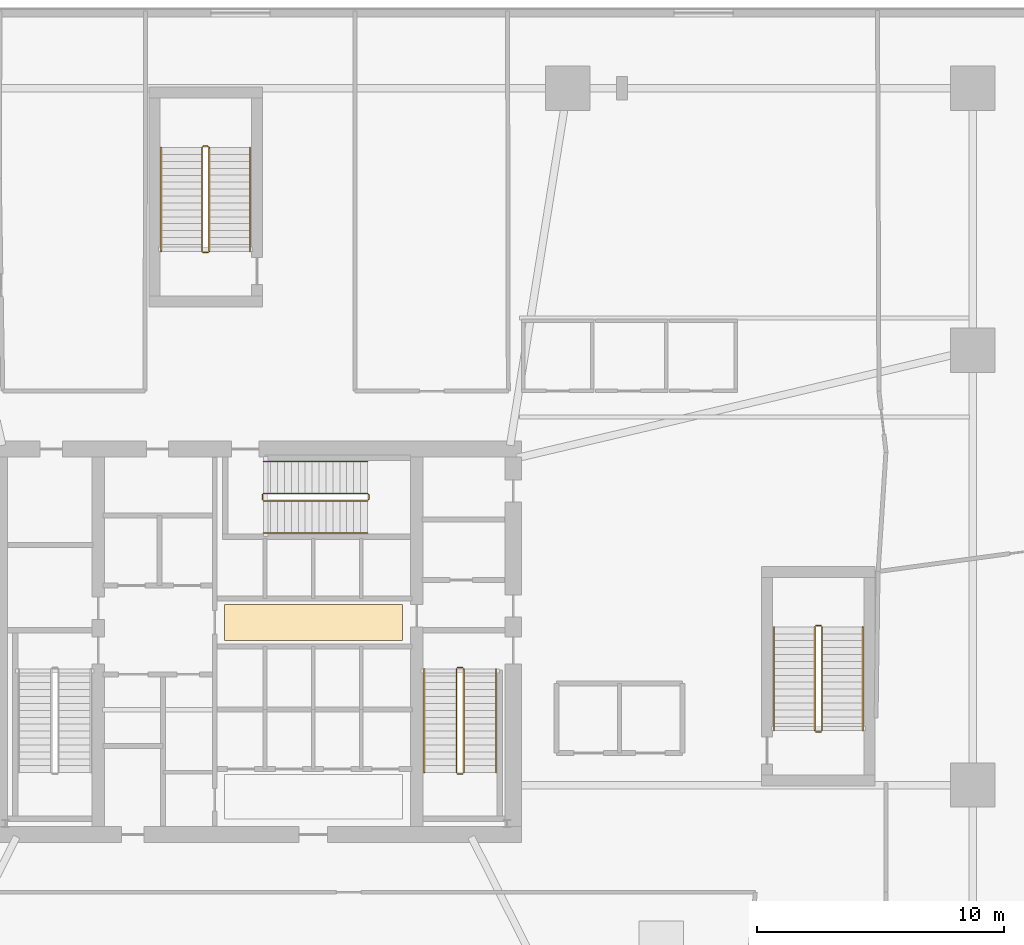
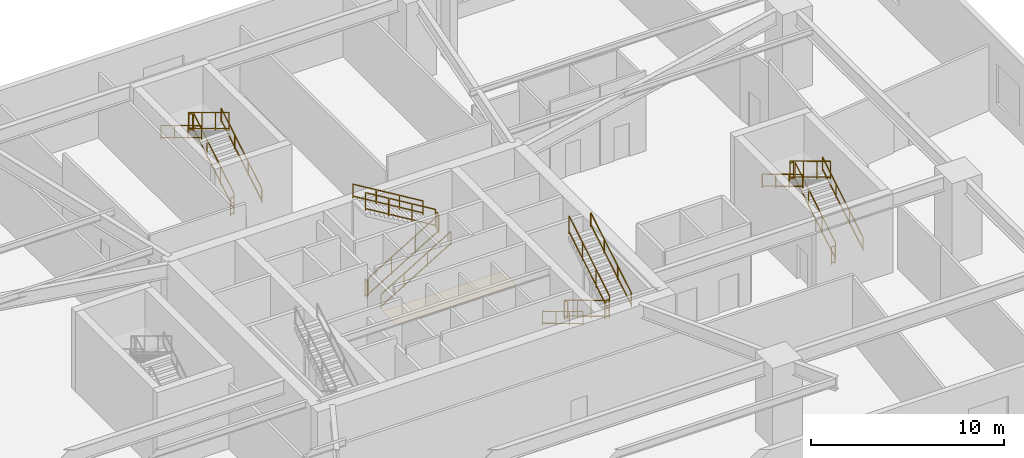
# One storey, part 10 of 11: 24 railings, 1 covering.
"""IFC4 building model written with IfcOpenShell, lengths in metres."""

from ifc_helpers import new_model, si_unit, direction, frame, origin, origin_2d, place, context, subcontext, project, spatial, rectangle, extrude, material, layer, layer_set, type_object, element, save


model = new_model("IFC4")

# Units and contexts
model_context = context("Model", 3, precision=1e-05, world=origin(), true_north=direction((0.0, 1.0)))
body_context = subcontext(model_context, "Body", "Model", "MODEL_VIEW")
ifc_project = project(units=[si_unit("LENGTHUNIT", "METRE"), si_unit("AREAUNIT", "SQUARE_METRE"), si_unit("VOLUMEUNIT", "CUBIC_METRE"), si_unit("PLANEANGLEUNIT", "RADIAN"), si_unit("MASSUNIT", "GRAM", prefix="KILO")], contexts=[model_context])

# Site, building, storey
site_placement = place(None, origin())
site = spatial("IfcSite", under=ifc_project, at=site_placement, CompositionType="ELEMENT")
building_placement = place(site_placement, origin())
building = spatial("IfcBuilding", under=site, at=building_placement, Name="Qarnah Convention Tower", CompositionType="ELEMENT")
storey_placement = place(building_placement, frame((0.0, 0.0, 5.39990234375)))
storey = spatial("IfcBuildingStorey", under=building, at=storey_placement, Name="L01", CompositionType="ELEMENT", Elevation=5.39990234375)

# Covering
ifc_material_1 = material(Name="Mineral fibre acoustic ceiling")
ifc_layer = layer(ifc_material_1, 0.02001953125)
ifc_layer_set = layer_set([ifc_layer], Name="Mineral fibre acoustic ceiling")
covering_type = type_object("IfcCoveringType", Name="COV-CEIL-20", PredefinedType="CEILING", material=ifc_layer_set)
covering_placement = place(storey_placement, frame((39.52001953125, 27.179931640625, 2.2900390625), z_axis=(0.0, 0.0, 1.0), x_axis=(1.0, 0.0, 0.0)))
element("IfcCovering", 1, at=covering_placement, inside=storey, type_object=covering_type, Name="L01 lift lobby acoustic ceiling", PredefinedType="CEILING", context=body_context, shape_type="SweptSolid", body=[
    extrude(rectangle(XDim=7.199951171875, YDim=1.449951171875, at=origin_2d()), origin(), (0.0, 0.0, 1.0), 0.02001953125),
])

# Railings
ifc_material_2 = material(Name="Structural steel S355JR", Category="steel")
railing_type_1 = type_object("IfcRailingType", Name="RL-STAIR-GUARD-1150", PredefinedType="GUARDRAIL", material=ifc_material_2)
railing_1_placement = place(storey_placement, frame((45.300048828125, 25.300048828125, 0.1689453125)))
element("IfcRailing", 2, at=railing_1_placement, inside=storey, type_object=railing_type_1, Name="L01 ST-2 stair guard 1", PredefinedType="GUARDRAIL", context=body_context, shape_type="SweptSolid", body=[
    extrude(rectangle(XDim=0.048095703125, YDim=0.048095703125, at=origin_2d()), frame((0.0, 0.0, 1.1259765625), z_axis=(0.0, -0.856476492594, 0.516186030065), x_axis=(1.0, 0.0, 0.0)), (0.0, 0.0, 1.0), 4.90380859375),
    extrude(rectangle(XDim=0.048095703125, YDim=0.048095703125, at=origin_2d()), frame((0.0, 0.0, 0.1201171875), z_axis=(0.0, -0.856476492594, 0.516186030065), x_axis=(1.0, 0.0, 0.0)), (0.0, 0.0, 1.0), 4.90380859375),
    extrude(rectangle(XDim=0.0419921875, YDim=0.0419921875, at=origin_2d()), origin(), (0.0, 0.0, 1.0), 1.101806640625),
    extrude(rectangle(XDim=0.0419921875, YDim=0.0419921875, at=origin_2d()), frame((0.0, -1.39990234375, 0.84375)), (0.0, 0.0, 1.0), 1.101806640625),
    extrude(rectangle(XDim=0.0419921875, YDim=0.0419921875, at=origin_2d()), frame((0.0, -2.800048828125, 1.6875)), (0.0, 0.0, 1.0), 1.101806640625),
    extrude(rectangle(XDim=0.0419921875, YDim=0.0419921875, at=origin_2d()), frame((0.0, -4.199951171875, 2.53125)), (0.0, 0.0, 1.0), 1.101806640625),
])
railing_2_placement = place(storey_placement, frame((45.35009765625, 21.050048828125, 2.7001953125)))
element("IfcRailing", 3, at=railing_2_placement, inside=storey, type_object=railing_type_1, Name="L01 ST-2 stair guard 2", PredefinedType="GUARDRAIL", context=body_context, shape_type="SweptSolid", body=[
    extrude(rectangle(XDim=0.048095703125, YDim=0.048095703125, at=origin_2d()), frame((0.0, 0.0, 1.1259765625), z_axis=(1.0, 0.0, 0.0), x_axis=(0.0, 1.0, 0.0)), (0.0, 0.0, 1.0), 0.199951171875),
    extrude(rectangle(XDim=0.048095703125, YDim=0.048095703125, at=origin_2d()), frame((0.0, 0.0, 0.1201171875), z_axis=(1.0, 0.0, 0.0), x_axis=(0.0, 1.0, 0.0)), (0.0, 0.0, 1.0), 0.199951171875),
    extrude(rectangle(XDim=0.0419921875, YDim=0.0419921875, at=origin_2d()), origin(), (0.0, 0.0, 1.0), 1.101806640625),
    extrude(rectangle(XDim=0.0419921875, YDim=0.0419921875, at=origin_2d()), frame((0.199951171875, 0.0, 0.0)), (0.0, 0.0, 1.0), 1.101806640625),
])
railing_3_placement = place(storey_placement, frame((45.60009765625, 21.10009765625, 2.868896484375)))
element("IfcRailing", 4, at=railing_3_placement, inside=storey, type_object=railing_type_1, Name="L01 ST-2 stair guard 3", PredefinedType="GUARDRAIL", context=body_context, shape_type="SweptSolid", body=[
    extrude(rectangle(XDim=0.048095703125, YDim=0.048095703125, at=origin_2d()), frame((0.0, 0.0, 1.1259765625), z_axis=(0.0, 0.856476492594, 0.516186030065), x_axis=(-1.0, 0.0, 0.0)), (0.0, 0.0, 1.0), 4.90380859375),
    extrude(rectangle(XDim=0.048095703125, YDim=0.048095703125, at=origin_2d()), frame((0.0, 0.0, 0.1201171875), z_axis=(0.0, 0.856476492594, 0.516186030065), x_axis=(-1.0, 0.0, 0.0)), (0.0, 0.0, 1.0), 4.90380859375),
    extrude(rectangle(XDim=0.0419921875, YDim=0.0419921875, at=origin_2d()), origin(), (0.0, 0.0, 1.0), 1.101806640625),
    extrude(rectangle(XDim=0.0419921875, YDim=0.0419921875, at=origin_2d()), frame((0.0, 1.39990234375, 0.84375)), (0.0, 0.0, 1.0), 1.101806640625),
    extrude(rectangle(XDim=0.0419921875, YDim=0.0419921875, at=origin_2d()), frame((0.0, 2.800048828125, 1.6875)), (0.0, 0.0, 1.0), 1.101806640625),
    extrude(rectangle(XDim=0.0419921875, YDim=0.0419921875, at=origin_2d()), frame((0.0, 4.199951171875, 2.53125)), (0.0, 0.0, 1.0), 1.101806640625),
])
railing_4_placement = place(storey_placement, frame((45.35009765625, 25.35009765625, 0.0)))
element("IfcRailing", 5, at=railing_4_placement, inside=storey, type_object=railing_type_1, Name="L01 ST-2 stair guard 4", PredefinedType="GUARDRAIL", context=body_context, shape_type="SweptSolid", body=[
    extrude(rectangle(XDim=0.048095703125, YDim=0.048095703125, at=origin_2d()), frame((0.0, 0.0, 1.1259765625), z_axis=(1.0, 0.0, 0.0), x_axis=(0.0, 1.0, 0.0)), (0.0, 0.0, 1.0), 0.199951171875),
    extrude(rectangle(XDim=0.048095703125, YDim=0.048095703125, at=origin_2d()), frame((0.0, 0.0, 0.1201171875), z_axis=(1.0, 0.0, 0.0), x_axis=(0.0, 1.0, 0.0)), (0.0, 0.0, 1.0), 0.199951171875),
    extrude(rectangle(XDim=0.0419921875, YDim=0.0419921875, at=origin_2d()), origin(), (0.0, 0.0, 1.0), 1.101806640625),
    extrude(rectangle(XDim=0.0419921875, YDim=0.0419921875, at=origin_2d()), frame((0.199951171875, 0.0, 0.0)), (0.0, 0.0, 1.0), 1.101806640625),
])
railing_5_placement = place(storey_placement, frame((37.5, 32.10009765625, 0.1689453125)))
element("IfcRailing", 6, at=railing_5_placement, inside=storey, type_object=railing_type_1, Name="L01 ST-3 stair guard 1", PredefinedType="GUARDRAIL", context=body_context, shape_type="SweptSolid", body=[
    extrude(rectangle(XDim=0.048095703125, YDim=0.048095703125, at=origin_2d()), frame((0.0, 0.0, 1.1259765625), z_axis=(0.856476492594, 0.0, 0.516186030065), x_axis=(0.0, 1.0, 0.0)), (0.0, 0.0, 1.0), 4.90380859375),
    extrude(rectangle(XDim=0.048095703125, YDim=0.048095703125, at=origin_2d()), frame((0.0, 0.0, 0.1201171875), z_axis=(0.856476492594, 0.0, 0.516186030065), x_axis=(0.0, 1.0, 0.0)), (0.0, 0.0, 1.0), 4.90380859375),
    extrude(rectangle(XDim=0.0419921875, YDim=0.0419921875, at=origin_2d()), origin(), (0.0, 0.0, 1.0), 1.101806640625),
    extrude(rectangle(XDim=0.0419921875, YDim=0.0419921875, at=origin_2d()), frame((1.39990234375, 0.0, 0.84375)), (0.0, 0.0, 1.0), 1.101806640625),
    extrude(rectangle(XDim=0.0419921875, YDim=0.0419921875, at=origin_2d()), frame((2.800048828125, 0.0, 1.6875)), (0.0, 0.0, 1.0), 1.101806640625),
    extrude(rectangle(XDim=0.0419921875, YDim=0.0419921875, at=origin_2d()), frame((4.199951171875, 0.0, 2.53125)), (0.0, 0.0, 1.0), 1.101806640625),
])
railing_6_placement = place(storey_placement, frame((41.75, 32.14990234375, 2.7001953125)))
element("IfcRailing", 7, at=railing_6_placement, inside=storey, type_object=railing_type_1, Name="L01 ST-3 stair guard 2", PredefinedType="GUARDRAIL", context=body_context, shape_type="SweptSolid", body=[
    extrude(rectangle(XDim=0.048095703125, YDim=0.048095703125, at=origin_2d()), frame((0.0, 0.0, 1.1259765625), z_axis=(0.0, 1.0, 0.0), x_axis=(-1.0, 0.0, 0.0)), (0.0, 0.0, 1.0), 0.2001953125),
    extrude(rectangle(XDim=0.048095703125, YDim=0.048095703125, at=origin_2d()), frame((0.0, 0.0, 0.1201171875), z_axis=(0.0, 1.0, 0.0), x_axis=(-1.0, 0.0, 0.0)), (0.0, 0.0, 1.0), 0.2001953125),
    extrude(rectangle(XDim=0.0419921875, YDim=0.0419921875, at=origin_2d()), origin(), (0.0, 0.0, 1.0), 1.101806640625),
    extrude(rectangle(XDim=0.0419921875, YDim=0.0419921875, at=origin_2d()), frame((0.0, 0.2001953125, 0.0)), (0.0, 0.0, 1.0), 1.101806640625),
])
railing_7_placement = place(storey_placement, frame((41.699951171875, 32.39990234375, 2.868896484375)))
element("IfcRailing", 8, at=railing_7_placement, inside=storey, type_object=railing_type_1, Name="L01 ST-3 stair guard 3", PredefinedType="GUARDRAIL", context=body_context, shape_type="SweptSolid", body=[
    extrude(rectangle(XDim=0.048095703125, YDim=0.048095703125, at=origin_2d()), frame((0.0, 0.0, 1.1259765625), z_axis=(-0.856476492594, 0.0, 0.516186030065), x_axis=(0.0, -1.0, 0.0)), (0.0, 0.0, 1.0), 4.90380859375),
    extrude(rectangle(XDim=0.048095703125, YDim=0.048095703125, at=origin_2d()), frame((0.0, 0.0, 0.1201171875), z_axis=(-0.856476492594, 0.0, 0.516186030065), x_axis=(0.0, -1.0, 0.0)), (0.0, 0.0, 1.0), 4.90380859375),
    extrude(rectangle(XDim=0.0419921875, YDim=0.0419921875, at=origin_2d()), origin(), (0.0, 0.0, 1.0), 1.101806640625),
    extrude(rectangle(XDim=0.0419921875, YDim=0.0419921875, at=origin_2d()), frame((-1.39990234375, 0.0, 0.84375)), (0.0, 0.0, 1.0), 1.101806640625),
    extrude(rectangle(XDim=0.0419921875, YDim=0.0419921875, at=origin_2d()), frame((-2.800048828125, 0.0, 1.6875)), (0.0, 0.0, 1.0), 1.101806640625),
    extrude(rectangle(XDim=0.0419921875, YDim=0.0419921875, at=origin_2d()), frame((-4.199951171875, 0.0, 2.53125)), (0.0, 0.0, 1.0), 1.101806640625),
])
railing_8_placement = place(storey_placement, frame((37.449951171875, 32.14990234375, 0.0)))
element("IfcRailing", 9, at=railing_8_placement, inside=storey, type_object=railing_type_1, Name="L01 ST-3 stair guard 4", PredefinedType="GUARDRAIL", context=body_context, shape_type="SweptSolid", body=[
    extrude(rectangle(XDim=0.048095703125, YDim=0.048095703125, at=origin_2d()), frame((0.0, 0.0, 1.1259765625), z_axis=(0.0, 1.0, 0.0), x_axis=(-1.0, 0.0, 0.0)), (0.0, 0.0, 1.0), 0.2001953125),
    extrude(rectangle(XDim=0.048095703125, YDim=0.048095703125, at=origin_2d()), frame((0.0, 0.0, 0.1201171875), z_axis=(0.0, 1.0, 0.0), x_axis=(-1.0, 0.0, 0.0)), (0.0, 0.0, 1.0), 0.2001953125),
    extrude(rectangle(XDim=0.0419921875, YDim=0.0419921875, at=origin_2d()), origin(), (0.0, 0.0, 1.0), 1.101806640625),
    extrude(rectangle(XDim=0.0419921875, YDim=0.0419921875, at=origin_2d()), frame((0.0, 0.2001953125, 0.0)), (0.0, 0.0, 1.0), 1.101806640625),
])
railing_9_placement = place(storey_placement, frame((60.10009765625, 22.800048828125, 0.1689453125)))
element("IfcRailing", 10, at=railing_9_placement, inside=storey, type_object=railing_type_1, Name="L01 ST-4 stair guard 1", PredefinedType="GUARDRAIL", context=body_context, shape_type="SweptSolid", body=[
    extrude(rectangle(XDim=0.048095703125, YDim=0.048095703125, at=origin_2d()), frame((0.0, 0.0, 1.1259765625), z_axis=(0.0, 0.856476492594, 0.516186030065), x_axis=(-1.0, 0.0, 0.0)), (0.0, 0.0, 1.0), 4.90380859375),
    extrude(rectangle(XDim=0.048095703125, YDim=0.048095703125, at=origin_2d()), frame((0.0, 0.0, 0.1201171875), z_axis=(0.0, 0.856476492594, 0.516186030065), x_axis=(-1.0, 0.0, 0.0)), (0.0, 0.0, 1.0), 4.90380859375),
    extrude(rectangle(XDim=0.0419921875, YDim=0.0419921875, at=origin_2d()), origin(), (0.0, 0.0, 1.0), 1.101806640625),
    extrude(rectangle(XDim=0.0419921875, YDim=0.0419921875, at=origin_2d()), frame((0.0, 1.39990234375, 0.84375)), (0.0, 0.0, 1.0), 1.101806640625),
    extrude(rectangle(XDim=0.0419921875, YDim=0.0419921875, at=origin_2d()), frame((0.0, 2.800048828125, 1.6875)), (0.0, 0.0, 1.0), 1.101806640625),
    extrude(rectangle(XDim=0.0419921875, YDim=0.0419921875, at=origin_2d()), frame((0.0, 4.199951171875, 2.53125)), (0.0, 0.0, 1.0), 1.101806640625),
])
railing_10_placement = place(storey_placement, frame((60.050048828125, 27.050048828125, 2.7001953125)))
element("IfcRailing", 11, at=railing_10_placement, inside=storey, type_object=railing_type_1, Name="L01 ST-4 stair guard 2", PredefinedType="GUARDRAIL", context=body_context, shape_type="SweptSolid", body=[
    extrude(rectangle(XDim=0.048095703125, YDim=0.048095703125, at=origin_2d()), frame((0.0, 0.0, 1.1259765625), z_axis=(-1.0, 0.0, 0.0), x_axis=(0.0, -1.0, 0.0)), (0.0, 0.0, 1.0), 0.199951171875),
    extrude(rectangle(XDim=0.048095703125, YDim=0.048095703125, at=origin_2d()), frame((0.0, 0.0, 0.1201171875), z_axis=(-1.0, 0.0, 0.0), x_axis=(0.0, -1.0, 0.0)), (0.0, 0.0, 1.0), 0.199951171875),
    extrude(rectangle(XDim=0.0419921875, YDim=0.0419921875, at=origin_2d()), origin(), (0.0, 0.0, 1.0), 1.101806640625),
    extrude(rectangle(XDim=0.0419921875, YDim=0.0419921875, at=origin_2d()), frame((-0.199951171875, 0.0, 0.0)), (0.0, 0.0, 1.0), 1.101806640625),
])
railing_11_placement = place(storey_placement, frame((59.800048828125, 27.0, 2.868896484375)))
element("IfcRailing", 12, at=railing_11_placement, inside=storey, type_object=railing_type_1, Name="L01 ST-4 stair guard 3", PredefinedType="GUARDRAIL", context=body_context, shape_type="SweptSolid", body=[
    extrude(rectangle(XDim=0.048095703125, YDim=0.048095703125, at=origin_2d()), frame((0.0, 0.0, 1.1259765625), z_axis=(0.0, -0.856476492594, 0.516186030065), x_axis=(1.0, 0.0, 0.0)), (0.0, 0.0, 1.0), 4.90380859375),
    extrude(rectangle(XDim=0.048095703125, YDim=0.048095703125, at=origin_2d()), frame((0.0, 0.0, 0.1201171875), z_axis=(0.0, -0.856476492594, 0.516186030065), x_axis=(1.0, 0.0, 0.0)), (0.0, 0.0, 1.0), 4.90380859375),
    extrude(rectangle(XDim=0.0419921875, YDim=0.0419921875, at=origin_2d()), origin(), (0.0, 0.0, 1.0), 1.101806640625),
    extrude(rectangle(XDim=0.0419921875, YDim=0.0419921875, at=origin_2d()), frame((0.0, -1.39990234375, 0.84375)), (0.0, 0.0, 1.0), 1.101806640625),
    extrude(rectangle(XDim=0.0419921875, YDim=0.0419921875, at=origin_2d()), frame((0.0, -2.800048828125, 1.6875)), (0.0, 0.0, 1.0), 1.101806640625),
    extrude(rectangle(XDim=0.0419921875, YDim=0.0419921875, at=origin_2d()), frame((0.0, -4.199951171875, 2.53125)), (0.0, 0.0, 1.0), 1.101806640625),
])
railing_12_placement = place(storey_placement, frame((60.050048828125, 22.75, 0.0)))
element("IfcRailing", 13, at=railing_12_placement, inside=storey, type_object=railing_type_1, Name="L01 ST-4 stair guard 4", PredefinedType="GUARDRAIL", context=body_context, shape_type="SweptSolid", body=[
    extrude(rectangle(XDim=0.048095703125, YDim=0.048095703125, at=origin_2d()), frame((0.0, 0.0, 1.1259765625), z_axis=(-1.0, 0.0, 0.0), x_axis=(0.0, -1.0, 0.0)), (0.0, 0.0, 1.0), 0.199951171875),
    extrude(rectangle(XDim=0.048095703125, YDim=0.048095703125, at=origin_2d()), frame((0.0, 0.0, 0.1201171875), z_axis=(-1.0, 0.0, 0.0), x_axis=(0.0, -1.0, 0.0)), (0.0, 0.0, 1.0), 0.199951171875),
    extrude(rectangle(XDim=0.0419921875, YDim=0.0419921875, at=origin_2d()), origin(), (0.0, 0.0, 1.0), 1.101806640625),
    extrude(rectangle(XDim=0.0419921875, YDim=0.0419921875, at=origin_2d()), frame((-0.199951171875, 0.0, 0.0)), (0.0, 0.0, 1.0), 1.101806640625),
])
railing_13_placement = place(storey_placement, frame((35.300048828125, 42.199951171875, 0.1689453125)))
element("IfcRailing", 14, at=railing_13_placement, inside=storey, type_object=railing_type_1, Name="L01 ST-6 stair guard 1", PredefinedType="GUARDRAIL", context=body_context, shape_type="SweptSolid", body=[
    extrude(rectangle(XDim=0.048095703125, YDim=0.048095703125, at=origin_2d()), frame((0.0, 0.0, 1.1259765625), z_axis=(0.0, 0.856476492594, 0.516186030065), x_axis=(-1.0, 0.0, 0.0)), (0.0, 0.0, 1.0), 4.90380859375),
    extrude(rectangle(XDim=0.048095703125, YDim=0.048095703125, at=origin_2d()), frame((0.0, 0.0, 0.1201171875), z_axis=(0.0, 0.856476492594, 0.516186030065), x_axis=(-1.0, 0.0, 0.0)), (0.0, 0.0, 1.0), 4.90380859375),
    extrude(rectangle(XDim=0.0419921875, YDim=0.0419921875, at=origin_2d()), origin(), (0.0, 0.0, 1.0), 1.101806640625),
    extrude(rectangle(XDim=0.0419921875, YDim=0.0419921875, at=origin_2d()), frame((0.0, 1.39990234375, 0.84375)), (0.0, 0.0, 1.0), 1.101806640625),
    extrude(rectangle(XDim=0.0419921875, YDim=0.0419921875, at=origin_2d()), frame((0.0, 2.800048828125, 1.6875)), (0.0, 0.0, 1.0), 1.101806640625),
    extrude(rectangle(XDim=0.0419921875, YDim=0.0419921875, at=origin_2d()), frame((0.0, 4.199951171875, 2.53125)), (0.0, 0.0, 1.0), 1.101806640625),
])
railing_14_placement = place(storey_placement, frame((35.25, 46.449951171875, 2.7001953125)))
element("IfcRailing", 15, at=railing_14_placement, inside=storey, type_object=railing_type_1, Name="L01 ST-6 stair guard 2", PredefinedType="GUARDRAIL", context=body_context, shape_type="SweptSolid", body=[
    extrude(rectangle(XDim=0.048095703125, YDim=0.048095703125, at=origin_2d()), frame((0.0, 0.0, 1.1259765625), z_axis=(-1.0, 0.0, 0.0), x_axis=(0.0, -1.0, 0.0)), (0.0, 0.0, 1.0), 0.199951171875),
    extrude(rectangle(XDim=0.048095703125, YDim=0.048095703125, at=origin_2d()), frame((0.0, 0.0, 0.1201171875), z_axis=(-1.0, 0.0, 0.0), x_axis=(0.0, -1.0, 0.0)), (0.0, 0.0, 1.0), 0.199951171875),
    extrude(rectangle(XDim=0.0419921875, YDim=0.0419921875, at=origin_2d()), origin(), (0.0, 0.0, 1.0), 1.101806640625),
    extrude(rectangle(XDim=0.0419921875, YDim=0.0419921875, at=origin_2d()), frame((-0.199951171875, 0.0, 0.0)), (0.0, 0.0, 1.0), 1.101806640625),
])
railing_15_placement = place(storey_placement, frame((35.0, 46.39990234375, 2.868896484375)))
element("IfcRailing", 16, at=railing_15_placement, inside=storey, type_object=railing_type_1, Name="L01 ST-6 stair guard 3", PredefinedType="GUARDRAIL", context=body_context, shape_type="SweptSolid", body=[
    extrude(rectangle(XDim=0.048095703125, YDim=0.048095703125, at=origin_2d()), frame((0.0, 0.0, 1.1259765625), z_axis=(0.0, -0.856476492594, 0.516186030065), x_axis=(1.0, 0.0, 0.0)), (0.0, 0.0, 1.0), 4.90380859375),
    extrude(rectangle(XDim=0.048095703125, YDim=0.048095703125, at=origin_2d()), frame((0.0, 0.0, 0.1201171875), z_axis=(0.0, -0.856476492594, 0.516186030065), x_axis=(1.0, 0.0, 0.0)), (0.0, 0.0, 1.0), 4.90380859375),
    extrude(rectangle(XDim=0.0419921875, YDim=0.0419921875, at=origin_2d()), origin(), (0.0, 0.0, 1.0), 1.101806640625),
    extrude(rectangle(XDim=0.0419921875, YDim=0.0419921875, at=origin_2d()), frame((0.0, -1.39990234375, 0.84375)), (0.0, 0.0, 1.0), 1.101806640625),
    extrude(rectangle(XDim=0.0419921875, YDim=0.0419921875, at=origin_2d()), frame((0.0, -2.800048828125, 1.6875)), (0.0, 0.0, 1.0), 1.101806640625),
    extrude(rectangle(XDim=0.0419921875, YDim=0.0419921875, at=origin_2d()), frame((0.0, -4.199951171875, 2.53125)), (0.0, 0.0, 1.0), 1.101806640625),
])
railing_16_placement = place(storey_placement, frame((35.25, 42.14990234375, 0.0)))
element("IfcRailing", 17, at=railing_16_placement, inside=storey, type_object=railing_type_1, Name="L01 ST-6 stair guard 4", PredefinedType="GUARDRAIL", context=body_context, shape_type="SweptSolid", body=[
    extrude(rectangle(XDim=0.048095703125, YDim=0.048095703125, at=origin_2d()), frame((0.0, 0.0, 1.1259765625), z_axis=(-1.0, 0.0, 0.0), x_axis=(0.0, -1.0, 0.0)), (0.0, 0.0, 1.0), 0.199951171875),
    extrude(rectangle(XDim=0.048095703125, YDim=0.048095703125, at=origin_2d()), frame((0.0, 0.0, 0.1201171875), z_axis=(-1.0, 0.0, 0.0), x_axis=(0.0, -1.0, 0.0)), (0.0, 0.0, 1.0), 0.199951171875),
    extrude(rectangle(XDim=0.0419921875, YDim=0.0419921875, at=origin_2d()), origin(), (0.0, 0.0, 1.0), 1.101806640625),
    extrude(rectangle(XDim=0.0419921875, YDim=0.0419921875, at=origin_2d()), frame((-0.199951171875, 0.0, 0.0)), (0.0, 0.0, 1.0), 1.101806640625),
])
railing_type_2 = type_object("IfcRailingType", Name="RL-STAIR-HAND-900", PredefinedType="HANDRAIL", material=ifc_material_2)
railing_17_placement = place(storey_placement, frame((44.0, 25.300048828125, 0.1689453125)))
element("IfcRailing", 18, at=railing_17_placement, inside=storey, type_object=railing_type_2, Name="L01 ST-2 stair handrail 1", PredefinedType="HANDRAIL", context=body_context, shape_type="SweptSolid", body=[
    extrude(rectangle(XDim=0.048095703125, YDim=0.048095703125, at=origin_2d()), frame((0.0, 0.0, 0.8759765625), z_axis=(0.0, -0.856476492594, 0.516186030065), x_axis=(1.0, 0.0, 0.0)), (0.0, 0.0, 1.0), 4.90380859375),
    extrude(rectangle(XDim=0.048095703125, YDim=0.048095703125, at=origin_2d()), frame((0.0, 0.0, 0.1201171875), z_axis=(0.0, -0.856476492594, 0.516186030065), x_axis=(1.0, 0.0, 0.0)), (0.0, 0.0, 1.0), 4.90380859375),
    extrude(rectangle(XDim=0.0419921875, YDim=0.0419921875, at=origin_2d()), origin(), (0.0, 0.0, 1.0), 0.851806640625),
    extrude(rectangle(XDim=0.0419921875, YDim=0.0419921875, at=origin_2d()), frame((0.0, -1.39990234375, 0.84375)), (0.0, 0.0, 1.0), 0.851806640625),
    extrude(rectangle(XDim=0.0419921875, YDim=0.0419921875, at=origin_2d()), frame((0.0, -2.800048828125, 1.6875)), (0.0, 0.0, 1.0), 0.851806640625),
    extrude(rectangle(XDim=0.0419921875, YDim=0.0419921875, at=origin_2d()), frame((0.0, -4.199951171875, 2.53125)), (0.0, 0.0, 1.0), 0.851806640625),
])
railing_18_placement = place(storey_placement, frame((46.89990234375, 21.10009765625, 2.868896484375)))
element("IfcRailing", 19, at=railing_18_placement, inside=storey, type_object=railing_type_2, Name="L01 ST-2 stair handrail 2", PredefinedType="HANDRAIL", context=body_context, shape_type="SweptSolid", body=[
    extrude(rectangle(XDim=0.048095703125, YDim=0.048095703125, at=origin_2d()), frame((0.0, 0.0, 0.8759765625), z_axis=(0.0, 0.856476492594, 0.516186030065), x_axis=(-1.0, 0.0, 0.0)), (0.0, 0.0, 1.0), 4.90380859375),
    extrude(rectangle(XDim=0.048095703125, YDim=0.048095703125, at=origin_2d()), frame((0.0, 0.0, 0.1201171875), z_axis=(0.0, 0.856476492594, 0.516186030065), x_axis=(-1.0, 0.0, 0.0)), (0.0, 0.0, 1.0), 4.90380859375),
    extrude(rectangle(XDim=0.0419921875, YDim=0.0419921875, at=origin_2d()), origin(), (0.0, 0.0, 1.0), 0.851806640625),
    extrude(rectangle(XDim=0.0419921875, YDim=0.0419921875, at=origin_2d()), frame((0.0, 1.39990234375, 0.84375)), (0.0, 0.0, 1.0), 0.851806640625),
    extrude(rectangle(XDim=0.0419921875, YDim=0.0419921875, at=origin_2d()), frame((0.0, 2.800048828125, 1.6875)), (0.0, 0.0, 1.0), 0.851806640625),
    extrude(rectangle(XDim=0.0419921875, YDim=0.0419921875, at=origin_2d()), frame((0.0, 4.199951171875, 2.53125)), (0.0, 0.0, 1.0), 0.851806640625),
])
railing_19_placement = place(storey_placement, frame((37.5, 30.800048828125, 0.1689453125)))
element("IfcRailing", 20, at=railing_19_placement, inside=storey, type_object=railing_type_2, Name="L01 ST-3 stair handrail 1", PredefinedType="HANDRAIL", context=body_context, shape_type="SweptSolid", body=[
    extrude(rectangle(XDim=0.048095703125, YDim=0.048095703125, at=origin_2d()), frame((0.0, 0.0, 0.8759765625), z_axis=(0.856476492594, 0.0, 0.516186030065), x_axis=(0.0, 1.0, 0.0)), (0.0, 0.0, 1.0), 4.90380859375),
    extrude(rectangle(XDim=0.048095703125, YDim=0.048095703125, at=origin_2d()), frame((0.0, 0.0, 0.1201171875), z_axis=(0.856476492594, 0.0, 0.516186030065), x_axis=(0.0, 1.0, 0.0)), (0.0, 0.0, 1.0), 4.90380859375),
    extrude(rectangle(XDim=0.0419921875, YDim=0.0419921875, at=origin_2d()), origin(), (0.0, 0.0, 1.0), 0.851806640625),
    extrude(rectangle(XDim=0.0419921875, YDim=0.0419921875, at=origin_2d()), frame((1.39990234375, 0.0, 0.84375)), (0.0, 0.0, 1.0), 0.851806640625),
    extrude(rectangle(XDim=0.0419921875, YDim=0.0419921875, at=origin_2d()), frame((2.800048828125, 0.0, 1.6875)), (0.0, 0.0, 1.0), 0.851806640625),
    extrude(rectangle(XDim=0.0419921875, YDim=0.0419921875, at=origin_2d()), frame((4.199951171875, 0.0, 2.53125)), (0.0, 0.0, 1.0), 0.851806640625),
])
railing_20_placement = place(storey_placement, frame((41.699951171875, 33.699951171875, 2.868896484375)))
element("IfcRailing", 21, at=railing_20_placement, inside=storey, type_object=railing_type_2, Name="L01 ST-3 stair handrail 2", PredefinedType="HANDRAIL", context=body_context, shape_type="SweptSolid", body=[
    extrude(rectangle(XDim=0.048095703125, YDim=0.048095703125, at=origin_2d()), frame((0.0, 0.0, 0.8759765625), z_axis=(-0.856476492594, 0.0, 0.516186030065), x_axis=(0.0, -1.0, 0.0)), (0.0, 0.0, 1.0), 4.90380859375),
    extrude(rectangle(XDim=0.048095703125, YDim=0.048095703125, at=origin_2d()), frame((0.0, 0.0, 0.1201171875), z_axis=(-0.856476492594, 0.0, 0.516186030065), x_axis=(0.0, -1.0, 0.0)), (0.0, 0.0, 1.0), 4.90380859375),
    extrude(rectangle(XDim=0.0419921875, YDim=0.0419921875, at=origin_2d()), origin(), (0.0, 0.0, 1.0), 0.851806640625),
    extrude(rectangle(XDim=0.0419921875, YDim=0.0419921875, at=origin_2d()), frame((-1.39990234375, 0.0, 0.84375)), (0.0, 0.0, 1.0), 0.851806640625),
    extrude(rectangle(XDim=0.0419921875, YDim=0.0419921875, at=origin_2d()), frame((-2.800048828125, 0.0, 1.6875)), (0.0, 0.0, 1.0), 0.851806640625),
    extrude(rectangle(XDim=0.0419921875, YDim=0.0419921875, at=origin_2d()), frame((-4.199951171875, 0.0, 2.53125)), (0.0, 0.0, 1.0), 0.851806640625),
])
railing_21_placement = place(storey_placement, frame((61.75, 22.800048828125, 0.1689453125)))
element("IfcRailing", 22, at=railing_21_placement, inside=storey, type_object=railing_type_2, Name="L01 ST-4 stair handrail 1", PredefinedType="HANDRAIL", context=body_context, shape_type="SweptSolid", body=[
    extrude(rectangle(XDim=0.048095703125, YDim=0.048095703125, at=origin_2d()), frame((0.0, 0.0, 0.8759765625), z_axis=(0.0, 0.856476492594, 0.516186030065), x_axis=(-1.0, 0.0, 0.0)), (0.0, 0.0, 1.0), 4.90380859375),
    extrude(rectangle(XDim=0.048095703125, YDim=0.048095703125, at=origin_2d()), frame((0.0, 0.0, 0.1201171875), z_axis=(0.0, 0.856476492594, 0.516186030065), x_axis=(-1.0, 0.0, 0.0)), (0.0, 0.0, 1.0), 4.90380859375),
    extrude(rectangle(XDim=0.0419921875, YDim=0.0419921875, at=origin_2d()), origin(), (0.0, 0.0, 1.0), 0.851806640625),
    extrude(rectangle(XDim=0.0419921875, YDim=0.0419921875, at=origin_2d()), frame((0.0, 1.39990234375, 0.84375)), (0.0, 0.0, 1.0), 0.851806640625),
    extrude(rectangle(XDim=0.0419921875, YDim=0.0419921875, at=origin_2d()), frame((0.0, 2.800048828125, 1.6875)), (0.0, 0.0, 1.0), 0.851806640625),
    extrude(rectangle(XDim=0.0419921875, YDim=0.0419921875, at=origin_2d()), frame((0.0, 4.199951171875, 2.53125)), (0.0, 0.0, 1.0), 0.851806640625),
])
railing_22_placement = place(storey_placement, frame((58.14990234375, 27.0, 2.868896484375)))
element("IfcRailing", 23, at=railing_22_placement, inside=storey, type_object=railing_type_2, Name="L01 ST-4 stair handrail 2", PredefinedType="HANDRAIL", context=body_context, shape_type="SweptSolid", body=[
    extrude(rectangle(XDim=0.048095703125, YDim=0.048095703125, at=origin_2d()), frame((0.0, 0.0, 0.8759765625), z_axis=(0.0, -0.856476492594, 0.516186030065), x_axis=(1.0, 0.0, 0.0)), (0.0, 0.0, 1.0), 4.90380859375),
    extrude(rectangle(XDim=0.048095703125, YDim=0.048095703125, at=origin_2d()), frame((0.0, 0.0, 0.1201171875), z_axis=(0.0, -0.856476492594, 0.516186030065), x_axis=(1.0, 0.0, 0.0)), (0.0, 0.0, 1.0), 4.90380859375),
    extrude(rectangle(XDim=0.0419921875, YDim=0.0419921875, at=origin_2d()), origin(), (0.0, 0.0, 1.0), 0.851806640625),
    extrude(rectangle(XDim=0.0419921875, YDim=0.0419921875, at=origin_2d()), frame((0.0, -1.39990234375, 0.84375)), (0.0, 0.0, 1.0), 0.851806640625),
    extrude(rectangle(XDim=0.0419921875, YDim=0.0419921875, at=origin_2d()), frame((0.0, -2.800048828125, 1.6875)), (0.0, 0.0, 1.0), 0.851806640625),
    extrude(rectangle(XDim=0.0419921875, YDim=0.0419921875, at=origin_2d()), frame((0.0, -4.199951171875, 2.53125)), (0.0, 0.0, 1.0), 0.851806640625),
])
railing_23_placement = place(storey_placement, frame((36.949951171875, 42.199951171875, 0.1689453125)))
element("IfcRailing", 24, at=railing_23_placement, inside=storey, type_object=railing_type_2, Name="L01 ST-6 stair handrail 1", PredefinedType="HANDRAIL", context=body_context, shape_type="SweptSolid", body=[
    extrude(rectangle(XDim=0.048095703125, YDim=0.048095703125, at=origin_2d()), frame((0.0, 0.0, 0.8759765625), z_axis=(0.0, 0.856476492594, 0.516186030065), x_axis=(-1.0, 0.0, 0.0)), (0.0, 0.0, 1.0), 4.90380859375),
    extrude(rectangle(XDim=0.048095703125, YDim=0.048095703125, at=origin_2d()), frame((0.0, 0.0, 0.1201171875), z_axis=(0.0, 0.856476492594, 0.516186030065), x_axis=(-1.0, 0.0, 0.0)), (0.0, 0.0, 1.0), 4.90380859375),
    extrude(rectangle(XDim=0.0419921875, YDim=0.0419921875, at=origin_2d()), origin(), (0.0, 0.0, 1.0), 0.851806640625),
    extrude(rectangle(XDim=0.0419921875, YDim=0.0419921875, at=origin_2d()), frame((0.0, 1.39990234375, 0.84375)), (0.0, 0.0, 1.0), 0.851806640625),
    extrude(rectangle(XDim=0.0419921875, YDim=0.0419921875, at=origin_2d()), frame((0.0, 2.800048828125, 1.6875)), (0.0, 0.0, 1.0), 0.851806640625),
    extrude(rectangle(XDim=0.0419921875, YDim=0.0419921875, at=origin_2d()), frame((0.0, 4.199951171875, 2.53125)), (0.0, 0.0, 1.0), 0.851806640625),
])
railing_24_placement = place(storey_placement, frame((33.35009765625, 46.39990234375, 2.868896484375)))
element("IfcRailing", 25, at=railing_24_placement, inside=storey, type_object=railing_type_2, Name="L01 ST-6 stair handrail 2", PredefinedType="HANDRAIL", context=body_context, shape_type="SweptSolid", body=[
    extrude(rectangle(XDim=0.048095703125, YDim=0.048095703125, at=origin_2d()), frame((0.0, 0.0, 0.8759765625), z_axis=(0.0, -0.856476492594, 0.516186030065), x_axis=(1.0, 0.0, 0.0)), (0.0, 0.0, 1.0), 4.90380859375),
    extrude(rectangle(XDim=0.048095703125, YDim=0.048095703125, at=origin_2d()), frame((0.0, 0.0, 0.1201171875), z_axis=(0.0, -0.856476492594, 0.516186030065), x_axis=(1.0, 0.0, 0.0)), (0.0, 0.0, 1.0), 4.90380859375),
    extrude(rectangle(XDim=0.0419921875, YDim=0.0419921875, at=origin_2d()), origin(), (0.0, 0.0, 1.0), 0.851806640625),
    extrude(rectangle(XDim=0.0419921875, YDim=0.0419921875, at=origin_2d()), frame((0.0, -1.39990234375, 0.84375)), (0.0, 0.0, 1.0), 0.851806640625),
    extrude(rectangle(XDim=0.0419921875, YDim=0.0419921875, at=origin_2d()), frame((0.0, -2.800048828125, 1.6875)), (0.0, 0.0, 1.0), 0.851806640625),
    extrude(rectangle(XDim=0.0419921875, YDim=0.0419921875, at=origin_2d()), frame((0.0, -4.199951171875, 2.53125)), (0.0, 0.0, 1.0), 0.851806640625),
])

save(model, "model.ifc")
